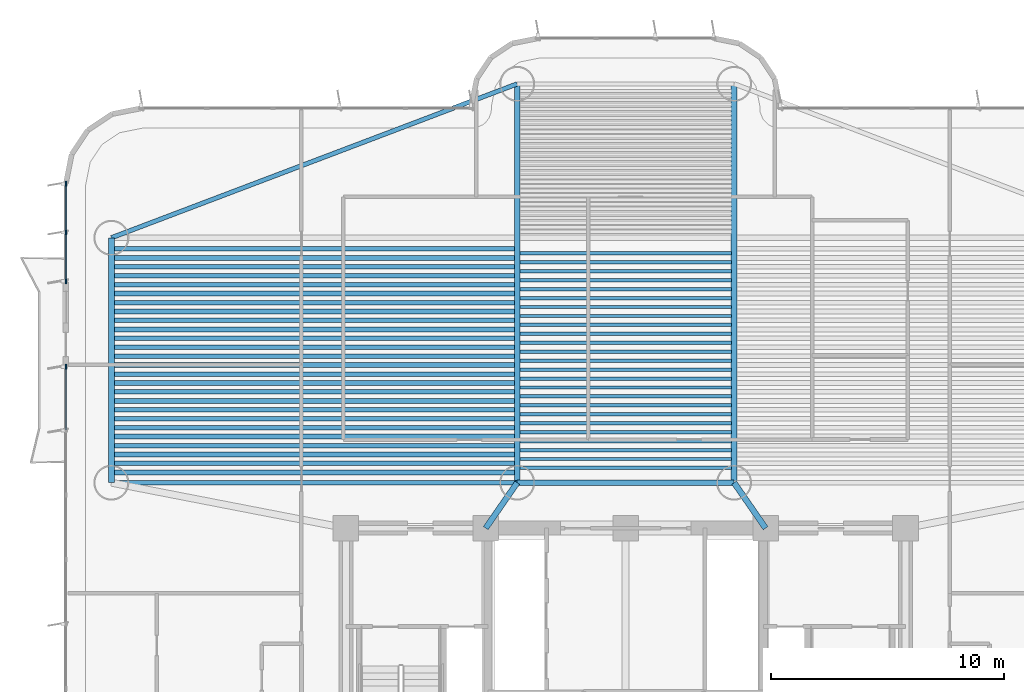
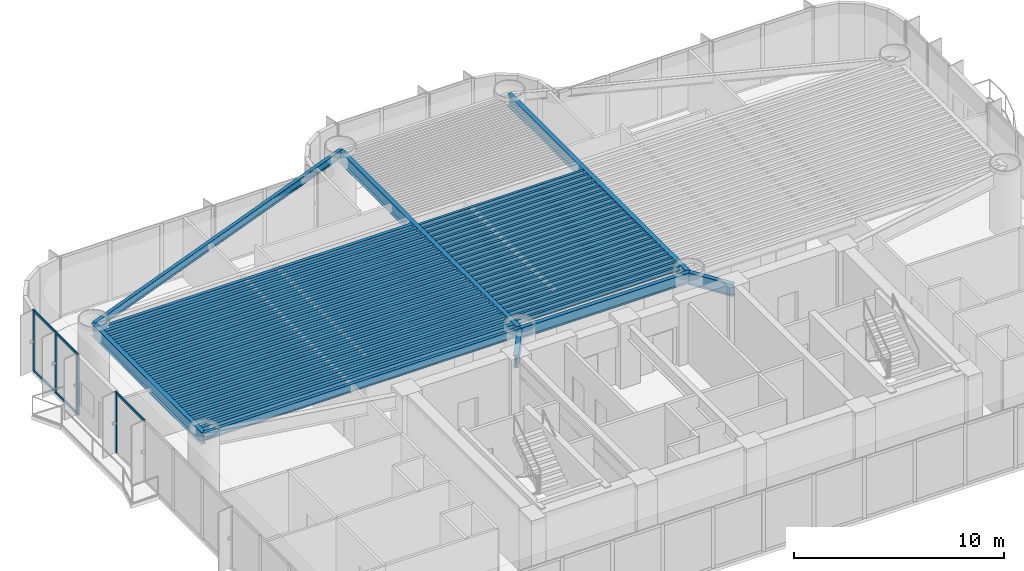
# One storey, part 3 of 17: 59 beams, 9 members, 2 elements without a shape of their own.
"""IFC4 building model written with IfcOpenShell, lengths in metres."""

import ifcopenshell
import ifcopenshell.guid

model = None  # the IFC model being written
_history = None  # IfcOwnerHistory: only IFC2X3 demands one
_inside = {}  # id of a spatial element -> (the spatial element, [elements in it])
_under = {}  # id of a project, library or spatial element -> (it, [spatial elements below it])
_declared = {}  # id of a project -> (the project, [libraries it declares])
_typed = {}  # id of a type object -> (the type object, [elements of that type])
_made_of = {}  # id of a material, layer set ... -> (it, [elements and type objects made of it])


def new_model(schema):
    """Start an empty IFC model of exactly this schema.

    Asked for "IFC4X3", IfcOpenShell would pick the latest addendum, in which some entities
    have other attributes; the version numbers below select the first issue.
    IFC2X3 requires an IfcOwnerHistory on every rooted entity: one is made here for all.
    """
    global model, _history
    if schema == "IFC4X3":
        model = ifcopenshell.file(schema_version=(4, 3, 0, 0))
    else:
        model = ifcopenshell.file(schema=schema)
    _inside.clear()
    _under.clear()
    _declared.clear()
    _typed.clear()
    _made_of.clear()
    _history = None
    if model.schema == "IFC2X3":
        org = make("IfcOrganization", Name="unknown")
        user = make(
            "IfcPersonAndOrganization",
            ThePerson=make("IfcPerson", FamilyName="unknown"),
            TheOrganization=org,
        )
        app = make(
            "IfcApplication",
            ApplicationDeveloper=org,
            Version="unknown",
            ApplicationFullName="unknown",
            ApplicationIdentifier="unknown",
        )
        _history = make(
            "IfcOwnerHistory",
            OwningUser=user,
            OwningApplication=app,
            ChangeAction="ADDED",
            CreationDate=0,
        )
    return model


def make(cls, **values):
    """One entity of the class cls with the attributes given. An attribute that is None is left unset."""
    return model.create_entity(
        cls, **{name: value for name, value in values.items() if value is not None}
    )


def rooted(cls, **values):
    """An entity with a GlobalId (a new one), such as an element, a storey or a relation."""
    return make(cls, GlobalId=ifcopenshell.guid.new(), OwnerHistory=_history, **values)


def si_unit(unit_type, name, prefix=None):
    """IfcSIUnit, for example si_unit("LENGTHUNIT", "METRE", prefix="MILLI")."""
    return make("IfcSIUnit", UnitType=unit_type, Prefix=prefix, Name=name)


def assignment(units):
    """IfcUnitAssignment: the units of a project."""
    return None if units is None else make("IfcUnitAssignment", Units=units)


def point(xyz):
    """IfcCartesianPoint."""
    return None if xyz is None else make("IfcCartesianPoint", Coordinates=xyz)


def direction(xyz):
    """IfcDirection."""
    return None if xyz is None else make("IfcDirection", DirectionRatios=xyz)


def frame(location, z_axis=None, x_axis=None):
    """IfcAxis2Placement3D, a coordinate frame: its origin and axes. An axis left out is left unset."""
    return make(
        "IfcAxis2Placement3D",
        Location=point(location),
        Axis=direction(z_axis),
        RefDirection=direction(x_axis),
    )


def frame_2d(location, x_axis=None):
    """IfcAxis2Placement2D, a coordinate frame in the plane: its origin and x axis."""
    return make(
        "IfcAxis2Placement2D", Location=point(location), RefDirection=direction(x_axis)
    )


def origin():
    """The frame at (0, 0, 0) with its axes left unset."""
    return frame((0.0, 0.0, 0.0))


def origin_2d():
    """The frame at (0, 0) in the plane with its x axis left unset."""
    return frame_2d((0.0, 0.0))


def place(relative_to, where):
    """IfcLocalPlacement: puts the frame where relative to a parent placement (None: the world)."""
    return make(
        "IfcLocalPlacement", PlacementRelTo=relative_to, RelativePlacement=where
    )


def context(
    kind, dimensions, precision=None, world=None, true_north=None, identifier=None
):
    """IfcGeometricRepresentationContext, for example the 3D "Model" context."""
    return make(
        "IfcGeometricRepresentationContext",
        ContextIdentifier=identifier,
        ContextType=kind,
        CoordinateSpaceDimension=dimensions,
        Precision=precision,
        WorldCoordinateSystem=world,
        TrueNorth=true_north,
    )


def subcontext(parent, identifier, kind, view, scale=None):
    """IfcGeometricRepresentationSubContext, for example "Body" below "Model"."""
    return make(
        "IfcGeometricRepresentationSubContext",
        ContextIdentifier=identifier,
        ContextType=kind,
        ParentContext=parent,
        TargetScale=scale,
        TargetView=view,
    )


def project(units=None, contexts=None):
    """IfcProject with its units and contexts."""
    return rooted(
        "IfcProject",
        Name="project",
        RepresentationContexts=contexts,
        UnitsInContext=assignment(units),
    )


def spatial(cls, under=None, at=None, **own):
    """A site, building, storey or space (cls), placed at a placement, below another one or the project."""
    s = rooted(cls, ObjectPlacement=at, **own)
    if under is not None:
        _under.setdefault(under.id(), (under, []))[1].append(s)
    return s


def profile(cls, at=None, kind="AREA", **sizes):
    """A parametric profile (cls). Its sizes go by their IFC names, for example OverallWidth=200.0."""
    return make(cls, ProfileType=kind, Position=at, **sizes)


def rectangle(**sizes):
    """IfcRectangleProfileDef."""
    return profile("IfcRectangleProfileDef", **sizes)


def i_section(**sizes):
    """IfcIShapeProfileDef."""
    return profile("IfcIShapeProfileDef", **sizes)


def extrude(swept, where, along, depth):
    """IfcExtrudedAreaSolid: the profile swept, set in the frame where, extruded along a direction by depth."""
    return make(
        "IfcExtrudedAreaSolid",
        SweptArea=swept,
        Position=where,
        ExtrudedDirection=direction(along),
        Depth=depth,
    )


def shape(context_of_items, identifier, shape_type, items):
    """IfcShapeRepresentation: the items that make up one representation, for example the "Body"."""
    return make(
        "IfcShapeRepresentation",
        ContextOfItems=context_of_items,
        RepresentationIdentifier=identifier,
        RepresentationType=shape_type,
        Items=items,
    )


def source(mapping_origin, context_of_items, identifier, shape_type, items):
    """IfcRepresentationMap: a shape defined once, which mapped items show again and again."""
    return make(
        "IfcRepresentationMap",
        MappingOrigin=mapping_origin,
        MappedRepresentation=shape(context_of_items, identifier, shape_type, items),
    )


def transform(
    local_origin,
    x_axis=None,
    y_axis=None,
    z_axis=None,
    scale=None,
    scale2=None,
    scale3=None,
    uniform=True,
):
    """IfcCartesianTransformationOperator3D, or its non-uniform kind. x_axis, y_axis, z_axis: its Axis1, 2, 3."""
    if uniform:
        return make(
            "IfcCartesianTransformationOperator3D",
            Axis1=direction(x_axis),
            Axis2=direction(y_axis),
            LocalOrigin=point(local_origin),
            Scale=scale,
            Axis3=direction(z_axis),
        )
    return make(
        "IfcCartesianTransformationOperator3DnonUniform",
        Axis1=direction(x_axis),
        Axis2=direction(y_axis),
        LocalOrigin=point(local_origin),
        Scale=scale,
        Axis3=direction(z_axis),
        Scale2=scale2,
        Scale3=scale3,
    )


def mapped(mapping_source, mapping_target):
    """IfcMappedItem: shows the shape of a source again, moved by a transform."""
    return make(
        "IfcMappedItem", MappingSource=mapping_source, MappingTarget=mapping_target
    )


def material(Name=None, Category=None):
    """IfcMaterial."""
    return make("IfcMaterial", Name=Name, Category=Category)


def layer(
    of_material, thickness, ventilated=None, Name=None, Category=None, Priority=None
):
    """IfcMaterialLayer: one layer of a wall or slab, of a material (None: an air gap)."""
    return make(
        "IfcMaterialLayer",
        Material=of_material,
        LayerThickness=thickness,
        IsVentilated=ventilated,
        Name=Name,
        Category=Category,
        Priority=Priority,
    )


def layer_set(layers, Name=None):
    """IfcMaterialLayerSet."""
    return make("IfcMaterialLayerSet", MaterialLayers=layers, LayerSetName=Name)


def material_profile(
    of_material, cross_section, Name=None, Category=None, Priority=None
):
    """IfcMaterialProfile: a cross section and its material."""
    return make(
        "IfcMaterialProfile",
        Name=Name,
        Material=of_material,
        Profile=cross_section,
        Priority=Priority,
        Category=Category,
    )


def profile_set(profiles, Name=None, composite=None):
    """IfcMaterialProfileSet."""
    return make(
        "IfcMaterialProfileSet",
        Name=Name,
        MaterialProfiles=profiles,
        CompositeProfile=composite,
    )


def made_of(thing, what):
    """Note that an element or type object is made of a material, layer set ...; save() writes the relation."""
    if what is not None:
        _made_of.setdefault(what.id(), (what, []))[1].append(thing)
    return thing


def type_object(cls, material=None, **own):
    """A type object (cls), such as IfcWallType, which elements share."""
    return made_of(rooted(cls, **own), material)


def element(
    cls,
    number,
    at=None,
    inside=None,
    cuts=None,
    type_object=None,
    material=None,
    context=None,
    identifier="Body",
    shape_type=None,
    held_by="IfcProductDefinitionShape",
    body=None,
    shapes=None,
    **own,
):
    """One element of the class cls, such as IfcWall. Its Tag is "e" and its number.

    at: its placement. inside: the storey or other place that contains it. cuts: it is an
    opening in that element (IfcRelVoidsElement). A single representation is given by context,
    identifier, shape_type and body (its items); several are given by shapes. held_by: the class
    of the entity that holds the representations. save() writes the other relations.
    """
    e = rooted(cls, Tag="e%d" % number, ObjectPlacement=at, **own)
    if body is not None:
        shapes = [shape(context, identifier, shape_type, body)]
    if shapes is not None:
        e.Representation = make(held_by, Representations=shapes)
    if inside is not None:
        _inside.setdefault(inside.id(), (inside, []))[1].append(e)
    if cuts is not None:
        rooted(
            "IfcRelVoidsElement", RelatingBuildingElement=cuts, RelatedOpeningElement=e
        )
    if type_object is not None:
        _typed.setdefault(type_object.id(), (type_object, []))[1].append(e)
    return made_of(e, material)


def aggregate(whole, parts):
    """IfcRelAggregates: a whole, such as a stair, and the parts it consists of."""
    return rooted("IfcRelAggregates", RelatingObject=whole, RelatedObjects=parts)


def save(model, path):
    """Write the relations noted so far, then the file.

    IfcRelAggregates (storeys below a building ...), IfcRelContainedInSpatialStructure (elements
    in a storey), IfcRelDefinesByType, IfcRelAssociatesMaterial and IfcRelDeclares: one each for
    every whole, place, type object, material and project.
    """
    for whole, parts in _under.values():
        aggregate(whole, parts)
    for where, things in _inside.values():
        rooted(
            "IfcRelContainedInSpatialStructure",
            RelatedElements=things,
            RelatingStructure=where,
        )
    for kind, things in _typed.values():
        rooted("IfcRelDefinesByType", RelatedObjects=things, RelatingType=kind)
    for what, things in _made_of.values():
        rooted("IfcRelAssociatesMaterial", RelatedObjects=things, RelatingMaterial=what)
    for by, libraries in _declared.values():
        rooted("IfcRelDeclares", RelatingContext=by, RelatedDefinitions=libraries)
    model.write(path)


model = new_model("IFC4")

# Units and contexts
model_context = context("Model", 3, precision=1e-05, world=origin(), true_north=direction((0.0, 1.0)))
body_context = subcontext(model_context, "Body", "Model", "MODEL_VIEW")
ifc_project = project(units=[si_unit("LENGTHUNIT", "METRE"), si_unit("AREAUNIT", "SQUARE_METRE"), si_unit("VOLUMEUNIT", "CUBIC_METRE"), si_unit("PLANEANGLEUNIT", "RADIAN"), si_unit("MASSUNIT", "GRAM", prefix="KILO")], contexts=[model_context])

# Site, building, storey
site_placement = place(None, origin())
site = spatial("IfcSite", under=ifc_project, at=site_placement, CompositionType="ELEMENT")
building_placement = place(site_placement, origin())
building = spatial("IfcBuilding", under=site, at=building_placement, Name="Brelvock Crest Care Tower", CompositionType="ELEMENT")
storey_placement = place(building_placement, frame((0.0, 0.0, 53.4599609375)))
storey = spatial("IfcBuildingStorey", under=building, at=storey_placement, Name="L13", CompositionType="ELEMENT", Elevation=53.4599609375)

# Beams
ifc_material_1 = material(Name="Steel Grade 350", Category="steel")
ifc_material_profile_1 = material_profile(ifc_material_1, i_section(OverallWidth=0.25, OverallDepth=0.699951171875, WebThickness=0.011962890625, FlangeThickness=0.02001953125, at=origin_2d()), Name="700WB150")
ifc_profile_set_1 = profile_set([ifc_material_profile_1], Name="Steel Grade 350")
beam_type_1 = type_object("IfcBeamType", Name="BM-G4", PredefinedType="BEAM", material=ifc_profile_set_1)
shared_shape_1 = source(origin(), body_context, "Body", "SweptSolid", [
    extrude(i_section(OverallWidth=0.25, OverallDepth=0.699951171875, WebThickness=0.011962890625, FlangeThickness=0.02001953125, at=origin_2d()), origin(), (0.0, 0.0, 1.0), 10.5),
])
beam_1_placement = place(storey_placement, frame((13.949951171875, 19.949951171875, 3.179931640625), z_axis=(0.0, 1.0, 0.0), x_axis=(-1.0, 0.0, 0.0)))
element("IfcBeam", 1, at=beam_1_placement, inside=storey, type_object=beam_type_1, Name="BM-TWR-L13-01", PredefinedType="BEAM", context=body_context, shape_type="MappedRepresentation", body=[
    mapped(shared_shape_1, transform((0.0, 0.0, 0.0), x_axis=(1.0, 0.0, 0.0), y_axis=(0.0, 1.0, 0.0), z_axis=(0.0, 0.0, 1.0), scale=1.0)),
])
ifc_material_profile_2 = material_profile(ifc_material_1, i_section(OverallWidth=0.19091796875, OverallDepth=0.4599609375, WebThickness=0.010009765625, FlangeThickness=0.01611328125, FilletRadius=0.011474609375, at=origin_2d()), Name="460UB82.1")
ifc_profile_set_2 = profile_set([ifc_material_profile_2], Name="Steel Grade 350")
beam_type_2 = type_object("IfcBeamType", Name="BM-SP2", PredefinedType="SPANDREL", material=ifc_profile_set_2)
shared_shape_2 = source(origin(), body_context, "Body", "SweptSolid", [
    extrude(i_section(OverallWidth=0.19091796875, OverallDepth=0.4599609375, WebThickness=0.010009765625, FlangeThickness=0.01611328125, FilletRadius=0.011474609375, at=origin_2d()), origin(), (0.0, 0.0, 1.0), 17.400146484375),
])
beam_2_placement = place(storey_placement, frame((13.949951171875, 19.949951171875, 3.300048828125), z_axis=(1.0, 0.0, 0.0), x_axis=(0.0, 1.0, 0.0)))
element("IfcBeam", 2, at=beam_2_placement, inside=storey, type_object=beam_type_2, Name="BM-TWR-L13-03", PredefinedType="SPANDREL", context=body_context, shape_type="MappedRepresentation", body=[
    mapped(shared_shape_2, transform((0.0, 0.0, 0.0), x_axis=(1.0, 0.0, 0.0), y_axis=(0.0, 1.0, 0.0), z_axis=(0.0, 0.0, 1.0), scale=1.0)),
])
ifc_material_profile_3 = material_profile(ifc_material_1, i_section(OverallWidth=0.22900390625, OverallDepth=0.612060546875, WebThickness=0.011962890625, FlangeThickness=0.01953125, FilletRadius=0.013916015625, at=origin_2d()), Name="610UB125")
ifc_profile_set_3 = profile_set([ifc_material_profile_3], Name="Steel Grade 350")
beam_type_3 = type_object("IfcBeamType", Name="BM-G1", PredefinedType="BEAM", material=ifc_profile_set_3)
shared_shape_3 = source(origin(), body_context, "Body", "SweptSolid", [
    extrude(i_section(OverallWidth=0.22900390625, OverallDepth=0.612060546875, WebThickness=0.011962890625, FlangeThickness=0.01953125, FilletRadius=0.013916015625, at=origin_2d()), origin(), (0.0, 0.0, 1.0), 9.2998046875),
])
beam_3_placement = place(storey_placement, frame((31.35009765625, 19.949951171875, 3.22412109375), z_axis=(1.0, 0.0, 0.0), x_axis=(0.0, 1.0, 0.0)))
element("IfcBeam", 3, at=beam_3_placement, inside=storey, type_object=beam_type_3, Name="BM-TWR-L13-05", PredefinedType="BEAM", context=body_context, shape_type="MappedRepresentation", body=[
    mapped(shared_shape_3, transform((0.0, 0.0, 0.0), x_axis=(1.0, 0.0, 0.0), y_axis=(0.0, 1.0, 0.0), z_axis=(0.0, 0.0, 1.0), scale=1.0)),
])
shared_shape_4 = source(origin(), body_context, "Body", "SweptSolid", [
    extrude(i_section(OverallWidth=0.19091796875, OverallDepth=0.4599609375, WebThickness=0.010009765625, FlangeThickness=0.01611328125, FilletRadius=0.011474609375, at=origin_2d()), origin(), (0.0, 0.0, 1.0), 18.60986328125),
])
beam_4_placement = place(storey_placement, frame((13.949951171875, 30.449951171875, 3.300048828125), z_axis=(0.934996776275, 0.3546562115, 0.0), x_axis=(-0.3546562115, 0.934996776275, 0.0)))
element("IfcBeam", 4, at=beam_4_placement, inside=storey, type_object=beam_type_2, Name="BM-TWR-L13-06", PredefinedType="SPANDREL", context=body_context, shape_type="MappedRepresentation", body=[
    mapped(shared_shape_4, transform((0.0, 0.0, 0.0), x_axis=(1.0, 0.0, 0.0), y_axis=(0.0, 1.0, 0.0), z_axis=(0.0, 0.0, 1.0), scale=1.0)),
])
shared_shape_5 = source(origin(), body_context, "Body", "SweptSolid", [
    extrude(i_section(OverallWidth=0.25, OverallDepth=0.699951171875, WebThickness=0.011962890625, FlangeThickness=0.02001953125, at=origin_2d()), origin(), (0.0, 0.0, 1.0), 17.10009765625),
])
for number, where, z_axis, x_axis, name in (
    (5, (31.35009765625, 19.949951171875, 3.179931640625), (0.0, 1.0, 0.0), (-1.0, 0.0, 0.0), "BM-TWR-L13-09"),
    (6, (40.64990234375, 19.949951171875, 3.179931640625), (0.0, 1.0, 0.0), (-1.0, 0.0, 0.0), "BM-TWR-L13-10"),
):
    element("IfcBeam", number, at=place(storey_placement, frame(where, z_axis=z_axis, x_axis=x_axis)), inside=storey, type_object=beam_type_1, Name=name, PredefinedType="BEAM", context=body_context, shape_type="MappedRepresentation", body=[
        mapped(shared_shape_5, transform((0.0, 0.0, 0.0), x_axis=(1.0, 0.0, 0.0), y_axis=(0.0, 1.0, 0.0), z_axis=(0.0, 0.0, 1.0), scale=1.0)),
    ])
shared_shape_6 = source(origin(), body_context, "Body", "SweptSolid", [
    extrude(i_section(OverallWidth=0.25, OverallDepth=0.699951171875, WebThickness=0.011962890625, FlangeThickness=0.02001953125, at=origin_2d()), origin(), (0.0, 0.0, 1.0), 2.371826171875),
])
for number, where, z_axis, x_axis, name in (
    (7, (30.0, 18.0, 3.179931640625), (0.569247447691, 0.8221662504, 0.0), (-0.8221662504, 0.569247447691, 0.0), "BM-THRW-L13"),
    (8, (42.0, 18.0, 3.179931640625), (-0.569247447691, 0.8221662504, 0.0), (-0.8221662504, -0.569247447691, 0.0), "BM-THRE-L13"),
):
    element("IfcBeam", number, at=place(storey_placement, frame(where, z_axis=z_axis, x_axis=x_axis)), inside=storey, type_object=beam_type_1, Name=name, PredefinedType="BEAM", context=body_context, shape_type="MappedRepresentation", body=[
        mapped(shared_shape_6, transform((0.0, 0.0, 0.0), x_axis=(1.0, 0.0, 0.0), y_axis=(0.0, 1.0, 0.0), z_axis=(0.0, 0.0, 1.0), scale=1.0)),
    ])
ifc_material_profile_4 = material_profile(ifc_material_1, i_section(OverallWidth=0.208984375, OverallDepth=0.532958984375, WebThickness=0.01025390625, FlangeThickness=0.015625, FilletRadius=0.013916015625, at=origin_2d()), Name="530UB92.4")
ifc_profile_set_4 = profile_set([ifc_material_profile_4], Name="Steel Grade 350")
beam_type_4 = type_object("IfcBeamType", Name="BM-G2", PredefinedType="BEAM", material=ifc_profile_set_4)
shared_shape_7 = source(origin(), body_context, "Body", "SweptSolid", [
    extrude(i_section(OverallWidth=0.208984375, OverallDepth=0.532958984375, WebThickness=0.01025390625, FlangeThickness=0.015625, FilletRadius=0.013916015625, at=origin_2d()), origin(), (0.0, 0.0, 1.0), 17.170166015625),
])
for number, where, z_axis, x_axis, name in (
    (9, (14.06494140625, 20.39111328125, 3.263427734375), (1.0, 0.0, 0.0), (0.0, 1.0, 0.0), "BM-JW-L13-1"),
    (10, (14.06494140625, 21.157470703125, 3.263427734375), (1.0, 0.0, 0.0), (0.0, 1.0, 0.0), "BM-JW-L13-3"),
    (11, (14.06494140625, 21.924072265625, 3.263427734375), (1.0, 0.0, 0.0), (0.0, 1.0, 0.0), "BM-JW-L13-5"),
    (12, (14.06494140625, 22.6904296875, 3.263427734375), (1.0, 0.0, 0.0), (0.0, 1.0, 0.0), "BM-JW-L13-7"),
    (13, (14.06494140625, 23.45703125, 3.263427734375), (1.0, 0.0, 0.0), (0.0, 1.0, 0.0), "BM-JW-L13-9"),
    (14, (14.06494140625, 24.223388671875, 3.263427734375), (1.0, 0.0, 0.0), (0.0, 1.0, 0.0), "BM-JW-L13-11"),
    (15, (14.06494140625, 24.989990234375, 3.263427734375), (1.0, 0.0, 0.0), (0.0, 1.0, 0.0), "BM-JW-L13-13"),
    (16, (14.06494140625, 25.756591796875, 3.263427734375), (1.0, 0.0, 0.0), (0.0, 1.0, 0.0), "BM-JW-L13-15"),
    (17, (14.06494140625, 26.52294921875, 3.263427734375), (1.0, 0.0, 0.0), (0.0, 1.0, 0.0), "BM-JW-L13-17"),
    (18, (14.06494140625, 27.28955078125, 3.263427734375), (1.0, 0.0, 0.0), (0.0, 1.0, 0.0), "BM-JW-L13-19"),
    (19, (14.06494140625, 28.055908203125, 3.263427734375), (1.0, 0.0, 0.0), (0.0, 1.0, 0.0), "BM-JW-L13-21"),
    (20, (14.06494140625, 28.822509765625, 3.263427734375), (1.0, 0.0, 0.0), (0.0, 1.0, 0.0), "BM-JW-L13-23"),
    (21, (14.06494140625, 29.589111328125, 3.263427734375), (1.0, 0.0, 0.0), (0.0, 1.0, 0.0), "BM-JW-L13-25"),
):
    element("IfcBeam", number, at=place(storey_placement, frame(where, z_axis=z_axis, x_axis=x_axis)), inside=storey, type_object=beam_type_4, Name=name, PredefinedType="BEAM", context=body_context, shape_type="MappedRepresentation", body=[
        mapped(shared_shape_7, transform((0.0, 0.0, 0.0), x_axis=(1.0, 0.0, 0.0), y_axis=(0.0, 1.0, 0.0), z_axis=(0.0, 0.0, 1.0), scale=1.0)),
    ])
ifc_material_profile_5 = material_profile(ifc_material_1, i_section(OverallWidth=0.14599609375, OverallDepth=0.256103515625, WebThickness=0.00634765625, FlangeThickness=0.010986328125, FilletRadius=0.0087890625, at=origin_2d()), Name="250UB37.3")
ifc_profile_set_5 = profile_set([ifc_material_profile_5], Name="Steel Grade 350")
beam_type_5 = type_object("IfcBeamType", Name="BM-J3", PredefinedType="JOIST", material=ifc_profile_set_5)
shared_shape_8 = source(origin(), body_context, "Body", "SweptSolid", [
    extrude(i_section(OverallWidth=0.14599609375, OverallDepth=0.256103515625, WebThickness=0.00634765625, FlangeThickness=0.010986328125, FilletRadius=0.0087890625, at=origin_2d()), origin(), (0.0, 0.0, 1.0), 9.06982421875),
])
for number, where, z_axis, x_axis, name in (
    (22, (31.465087890625, 20.58251953125, 3.402099609375), (1.0, 0.0, 0.0), (0.0, 1.0, 0.0), "BM-JH-L13-1"),
    (23, (31.465087890625, 20.9658203125, 3.402099609375), (1.0, 0.0, 0.0), (0.0, 1.0, 0.0), "BM-JH-L13-2"),
    (24, (31.465087890625, 21.34912109375, 3.402099609375), (1.0, 0.0, 0.0), (0.0, 1.0, 0.0), "BM-JH-L13-3"),
    (25, (31.465087890625, 21.732421875, 3.402099609375), (1.0, 0.0, 0.0), (0.0, 1.0, 0.0), "BM-JH-L13-4"),
    (26, (31.465087890625, 22.115478515625, 3.402099609375), (1.0, 0.0, 0.0), (0.0, 1.0, 0.0), "BM-JH-L13-5"),
    (27, (31.465087890625, 22.498779296875, 3.402099609375), (1.0, 0.0, 0.0), (0.0, 1.0, 0.0), "BM-JH-L13-6"),
    (28, (31.465087890625, 22.882080078125, 3.402099609375), (1.0, 0.0, 0.0), (0.0, 1.0, 0.0), "BM-JH-L13-7"),
    (29, (31.465087890625, 23.265380859375, 3.402099609375), (1.0, 0.0, 0.0), (0.0, 1.0, 0.0), "BM-JH-L13-8"),
    (30, (31.465087890625, 23.648681640625, 3.402099609375), (1.0, 0.0, 0.0), (0.0, 1.0, 0.0), "BM-JH-L13-9"),
    (31, (31.465087890625, 24.03173828125, 3.402099609375), (1.0, 0.0, 0.0), (0.0, 1.0, 0.0), "BM-JH-L13-10"),
    (32, (31.465087890625, 24.4150390625, 3.402099609375), (1.0, 0.0, 0.0), (0.0, 1.0, 0.0), "BM-JH-L13-11"),
    (33, (31.465087890625, 24.79833984375, 3.402099609375), (1.0, 0.0, 0.0), (0.0, 1.0, 0.0), "BM-JH-L13-12"),
    (34, (31.465087890625, 25.181640625, 3.402099609375), (1.0, 0.0, 0.0), (0.0, 1.0, 0.0), "BM-JH-L13-13"),
    (35, (31.465087890625, 25.564697265625, 3.402099609375), (1.0, 0.0, 0.0), (0.0, 1.0, 0.0), "BM-JH-L13-14"),
    (36, (31.465087890625, 25.947998046875, 3.402099609375), (1.0, 0.0, 0.0), (0.0, 1.0, 0.0), "BM-JH-L13-15"),
    (37, (31.465087890625, 26.331298828125, 3.402099609375), (1.0, 0.0, 0.0), (0.0, 1.0, 0.0), "BM-JH-L13-16"),
    (38, (31.465087890625, 26.714599609375, 3.402099609375), (1.0, 0.0, 0.0), (0.0, 1.0, 0.0), "BM-JH-L13-17"),
    (39, (31.465087890625, 27.097900390625, 3.402099609375), (1.0, 0.0, 0.0), (0.0, 1.0, 0.0), "BM-JH-L13-18"),
    (40, (31.465087890625, 27.481201171875, 3.402099609375), (1.0, 0.0, 0.0), (0.0, 1.0, 0.0), "BM-JH-L13-19"),
    (41, (31.465087890625, 27.864501953125, 3.402099609375), (1.0, 0.0, 0.0), (0.0, 1.0, 0.0), "BM-JH-L13-20"),
    (42, (31.465087890625, 28.24755859375, 3.402099609375), (1.0, 0.0, 0.0), (0.0, 1.0, 0.0), "BM-JH-L13-21"),
    (43, (31.465087890625, 28.630859375, 3.402099609375), (1.0, 0.0, 0.0), (0.0, 1.0, 0.0), "BM-JH-L13-22"),
    (44, (31.465087890625, 29.01416015625, 3.402099609375), (1.0, 0.0, 0.0), (0.0, 1.0, 0.0), "BM-JH-L13-23"),
    (45, (31.465087890625, 29.397216796875, 3.402099609375), (1.0, 0.0, 0.0), (0.0, 1.0, 0.0), "BM-JH-L13-24"),
    (46, (31.465087890625, 29.780517578125, 3.402099609375), (1.0, 0.0, 0.0), (0.0, 1.0, 0.0), "BM-JH-L13-25"),
):
    element("IfcBeam", number, at=place(storey_placement, frame(where, z_axis=z_axis, x_axis=x_axis)), inside=storey, type_object=beam_type_5, Name=name, PredefinedType="JOIST", context=body_context, shape_type="MappedRepresentation", body=[
        mapped(shared_shape_8, transform((0.0, 0.0, 0.0), x_axis=(1.0, 0.0, 0.0), y_axis=(0.0, 1.0, 0.0), z_axis=(0.0, 0.0, 1.0), scale=1.0)),
    ])
ifc_material_profile_6 = material_profile(ifc_material_1, i_section(OverallWidth=0.19091796875, OverallDepth=0.4599609375, WebThickness=0.010009765625, FlangeThickness=0.01611328125, FilletRadius=0.011474609375, at=origin_2d()), Name="460UB82.1")
ifc_profile_set_6 = profile_set([ifc_material_profile_6], Name="Steel Grade 350")
beam_type_6 = type_object("IfcBeamType", Name="BM-G3", PredefinedType="BEAM", material=ifc_profile_set_6)
shared_shape_9 = source(origin(), body_context, "Body", "SweptSolid", [
    extrude(i_section(OverallWidth=0.19091796875, OverallDepth=0.4599609375, WebThickness=0.010009765625, FlangeThickness=0.01611328125, FilletRadius=0.011474609375, at=origin_2d()), origin(), (0.0, 0.0, 1.0), 17.170166015625),
])
for number, where, z_axis, x_axis, name in (
    (47, (14.06494140625, 20.774169921875, 3.300048828125), (1.0, 0.0, 0.0), (0.0, 1.0, 0.0), "BM-JW-L13-2"),
    (48, (14.06494140625, 21.540771484375, 3.300048828125), (1.0, 0.0, 0.0), (0.0, 1.0, 0.0), "BM-JW-L13-4"),
    (49, (14.06494140625, 22.30712890625, 3.300048828125), (1.0, 0.0, 0.0), (0.0, 1.0, 0.0), "BM-JW-L13-6"),
    (50, (14.06494140625, 23.07373046875, 3.300048828125), (1.0, 0.0, 0.0), (0.0, 1.0, 0.0), "BM-JW-L13-8"),
    (51, (14.06494140625, 23.840087890625, 3.300048828125), (1.0, 0.0, 0.0), (0.0, 1.0, 0.0), "BM-JW-L13-10"),
    (52, (14.06494140625, 24.606689453125, 3.300048828125), (1.0, 0.0, 0.0), (0.0, 1.0, 0.0), "BM-JW-L13-12"),
    (53, (14.06494140625, 25.373291015625, 3.300048828125), (1.0, 0.0, 0.0), (0.0, 1.0, 0.0), "BM-JW-L13-14"),
    (54, (14.06494140625, 26.1396484375, 3.300048828125), (1.0, 0.0, 0.0), (0.0, 1.0, 0.0), "BM-JW-L13-16"),
    (55, (14.06494140625, 26.90625, 3.300048828125), (1.0, 0.0, 0.0), (0.0, 1.0, 0.0), "BM-JW-L13-18"),
    (56, (14.06494140625, 27.6728515625, 3.300048828125), (1.0, 0.0, 0.0), (0.0, 1.0, 0.0), "BM-JW-L13-20"),
    (57, (14.06494140625, 28.439208984375, 3.300048828125), (1.0, 0.0, 0.0), (0.0, 1.0, 0.0), "BM-JW-L13-22"),
    (58, (14.06494140625, 29.205810546875, 3.300048828125), (1.0, 0.0, 0.0), (0.0, 1.0, 0.0), "BM-JW-L13-24"),
    (59, (14.06494140625, 29.97216796875, 3.300048828125), (1.0, 0.0, 0.0), (0.0, 1.0, 0.0), "BM-JW-L13-26"),
):
    element("IfcBeam", number, at=place(storey_placement, frame(where, z_axis=z_axis, x_axis=x_axis)), inside=storey, type_object=beam_type_6, Name=name, PredefinedType="BEAM", context=body_context, shape_type="MappedRepresentation", body=[
        mapped(shared_shape_9, transform((0.0, 0.0, 0.0), x_axis=(1.0, 0.0, 0.0), y_axis=(0.0, 1.0, 0.0), z_axis=(0.0, 0.0, 1.0), scale=1.0)),
    ])

# Curtain wall, member
ifc_material_2 = material(Name="Dark Glass Double Glazed Low-E", Category="glass")
ifc_layer = layer(ifc_material_2, 0.195068359375, Name="CWS-2")
ifc_layer_set = layer_set([ifc_layer], Name="Dark Glass Double Glazed Low-E")
curtain_wall_type = type_object("IfcCurtainWallType", Name="CWS-2", PredefinedType="NOTDEFINED", material=ifc_layer_set)
curtain_wall_1_placement = place(storey_placement, origin())
curtain_wall_1 = element("IfcCurtainWall", 60, at=curtain_wall_1_placement, inside=storey, type_object=curtain_wall_type, Name="L13 Curtain Wall E13A", PredefinedType="NOTDEFINED")
ifc_material_3 = material(Name="Aluminium 6063-T6", Category="aluminium")
ifc_material_profile_7 = material_profile(ifc_material_3, rectangle(XDim=0.06494140625, YDim=0.199951171875, at=origin_2d()), Name="ALU65x200")
ifc_profile_set_7 = profile_set([ifc_material_profile_7], Name="Aluminium 6063-T6")
member_type_1 = type_object("IfcMemberType", Name="CWM-1", PredefinedType="MULLION", material=ifc_profile_set_7)
shared_shape_10 = source(origin(), body_context, "Body", "SweptSolid", [
    extrude(rectangle(XDim=0.06494140625, YDim=0.199951171875, at=origin_2d()), origin(), (0.0, 0.0, 1.0), 3.530029296875),
])
member_1_placement = place(storey_placement, frame((12.0, 24.91748046875, 0.0), z_axis=(0.0, 0.0, 1.0), x_axis=(-1.0, 0.0, 0.0)))
member_1 = element("IfcMember", 61, at=member_1_placement, type_object=member_type_1, Name="CW-2 mullion 8", PredefinedType="MULLION", context=body_context, shape_type="MappedRepresentation", body=[
    mapped(shared_shape_10, transform((0.0, 0.0, 0.0), x_axis=(1.0, 0.0, 0.0), y_axis=(0.0, 1.0, 0.0), z_axis=(0.0, 0.0, 1.0), scale=1.0)),
])

# Curtain wall, members
curtain_wall_2_placement = place(storey_placement, origin())
curtain_wall_2 = element("IfcCurtainWall", 62, at=curtain_wall_2_placement, inside=storey, type_object=curtain_wall_type, Name="L13 Curtain Wall E13B", PredefinedType="NOTDEFINED")
member_2_placement = place(storey_placement, frame((12.0, 28.58251953125, 0.0), z_axis=(0.0, 0.0, 1.0), x_axis=(-1.0, 0.0, 0.0)))
member_2 = element("IfcMember", 63, at=member_2_placement, type_object=member_type_1, Name="CW-2 mullion 1", PredefinedType="MULLION", context=body_context, shape_type="MappedRepresentation", body=[
    mapped(shared_shape_10, transform((0.0, 0.0, 0.0), x_axis=(1.0, 0.0, 0.0), y_axis=(0.0, 1.0, 0.0), z_axis=(0.0, 0.0, 1.0), scale=1.0)),
])
member_3_placement = place(storey_placement, frame((12.0, 30.675048828125, 0.0), z_axis=(0.0, 0.0, 1.0), x_axis=(-1.0, 0.0, 0.0)))
member_3 = element("IfcMember", 64, at=member_3_placement, type_object=member_type_1, Name="CW-2 mullion 2", PredefinedType="MULLION", context=body_context, shape_type="MappedRepresentation", body=[
    mapped(shared_shape_10, transform((0.0, 0.0, 0.0), x_axis=(1.0, 0.0, 0.0), y_axis=(0.0, 1.0, 0.0), z_axis=(0.0, 0.0, 1.0), scale=1.0)),
])
member_4_placement = place(storey_placement, frame((12.0, 32.767578125, 0.0), z_axis=(0.0, 0.0, 1.0), x_axis=(-1.0, 0.0, 0.0)))
member_4 = element("IfcMember", 65, at=member_4_placement, type_object=member_type_1, Name="CW-2 mullion 3", PredefinedType="MULLION", context=body_context, shape_type="MappedRepresentation", body=[
    mapped(shared_shape_10, transform((0.0, 0.0, 0.0), x_axis=(1.0, 0.0, 0.0), y_axis=(0.0, 1.0, 0.0), z_axis=(0.0, 0.0, 1.0), scale=1.0)),
])
ifc_material_profile_8 = material_profile(ifc_material_3, rectangle(XDim=0.06494140625, YDim=0.14990234375, at=origin_2d()), Name="ALU65x150")
ifc_profile_set_8 = profile_set([ifc_material_profile_8], Name="Aluminium 6063-T6")
member_type_2 = type_object("IfcMemberType", Name="CWT-1", PredefinedType="USERDEFINED", material=ifc_profile_set_8)
shared_shape_11 = source(origin(), body_context, "Body", "SweptSolid", [
    extrude(rectangle(XDim=0.06494140625, YDim=0.14990234375, at=origin_2d()), origin(), (0.0, 0.0, 1.0), 2.027587890625),
])
member_5_placement = place(storey_placement, frame((12.0, 28.614990234375, 0.032470703125), z_axis=(0.0, 1.0, 0.0), x_axis=(-1.0, 0.0, 0.0)))
member_5 = element("IfcMember", 66, at=member_5_placement, type_object=member_type_2, Name="CW-2 transom 1.1", ObjectType="TRANSOM", PredefinedType="USERDEFINED", context=body_context, shape_type="MappedRepresentation", body=[
    mapped(shared_shape_11, transform((0.0, 0.0, 0.0), x_axis=(1.0, 0.0, 0.0), y_axis=(0.0, 1.0, 0.0), z_axis=(0.0, 0.0, 1.0), scale=1.0)),
])
member_6_placement = place(storey_placement, frame((12.0, 28.614990234375, 3.49755859375), z_axis=(0.0, 1.0, 0.0), x_axis=(-1.0, 0.0, 0.0)))
member_6 = element("IfcMember", 67, at=member_6_placement, type_object=member_type_2, Name="CW-2 transom 1.2", ObjectType="TRANSOM", PredefinedType="USERDEFINED", context=body_context, shape_type="MappedRepresentation", body=[
    mapped(shared_shape_11, transform((0.0, 0.0, 0.0), x_axis=(1.0, 0.0, 0.0), y_axis=(0.0, 1.0, 0.0), z_axis=(0.0, 0.0, 1.0), scale=1.0)),
])
member_7_placement = place(storey_placement, frame((12.0, 30.70751953125, 0.032470703125), z_axis=(0.0, 1.0, 0.0), x_axis=(-1.0, 0.0, 0.0)))
member_7 = element("IfcMember", 68, at=member_7_placement, type_object=member_type_2, Name="CW-2 transom 2.1", ObjectType="TRANSOM", PredefinedType="USERDEFINED", context=body_context, shape_type="MappedRepresentation", body=[
    mapped(shared_shape_11, transform((0.0, 0.0, 0.0), x_axis=(1.0, 0.0, 0.0), y_axis=(0.0, 1.0, 0.0), z_axis=(0.0, 0.0, 1.0), scale=1.0)),
])
member_8_placement = place(storey_placement, frame((12.0, 30.70751953125, 3.49755859375), z_axis=(0.0, 1.0, 0.0), x_axis=(-1.0, 0.0, 0.0)))
member_8 = element("IfcMember", 69, at=member_8_placement, type_object=member_type_2, Name="CW-2 transom 2.2", ObjectType="TRANSOM", PredefinedType="USERDEFINED", context=body_context, shape_type="MappedRepresentation", body=[
    mapped(shared_shape_11, transform((0.0, 0.0, 0.0), x_axis=(1.0, 0.0, 0.0), y_axis=(0.0, 1.0, 0.0), z_axis=(0.0, 0.0, 1.0), scale=1.0)),
])
aggregate(curtain_wall_2, [member_2, member_3, member_4, member_5, member_6, member_7, member_8])

# Member
shared_shape_12 = source(origin(), body_context, "Body", "SweptSolid", [
    extrude(rectangle(XDim=0.06494140625, YDim=0.14990234375, at=origin_2d()), origin(), (0.0, 0.0, 1.0), 2.666748046875),
])
member_9_placement = place(storey_placement, frame((12.0, 22.21826171875, 3.49755859375), z_axis=(0.0, 1.0, 0.0), x_axis=(-1.0, 0.0, 0.0)))
member_9 = element("IfcMember", 70, at=member_9_placement, type_object=member_type_2, Name="CW-2 transom 7.2", ObjectType="TRANSOM", PredefinedType="USERDEFINED", context=body_context, shape_type="MappedRepresentation", body=[
    mapped(shared_shape_12, transform((0.0, 0.0, 0.0), x_axis=(1.0, 0.0, 0.0), y_axis=(0.0, 1.0, 0.0), z_axis=(0.0, 0.0, 1.0), scale=1.0)),
])

aggregate(curtain_wall_1, [member_1, member_9])

save(model, "model.ifc")
